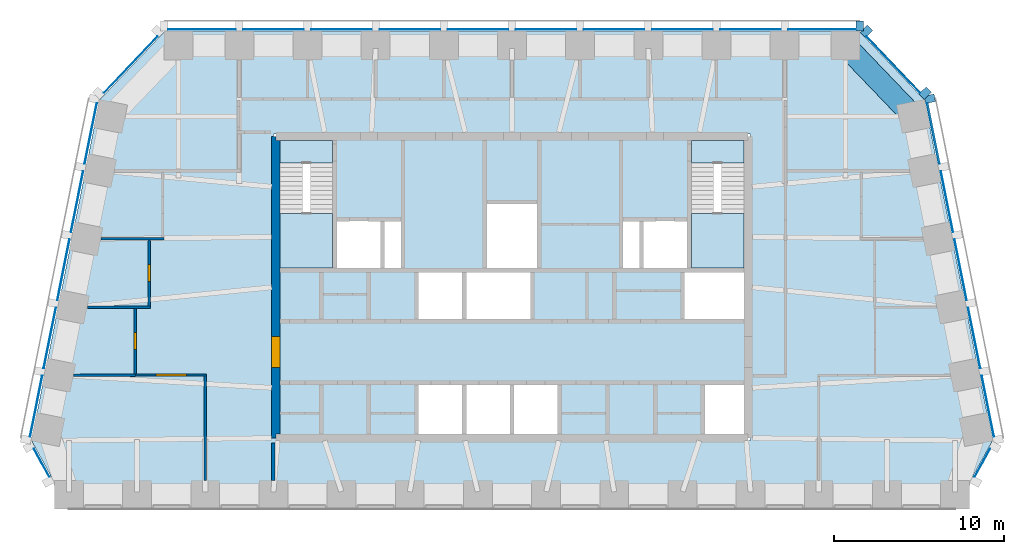
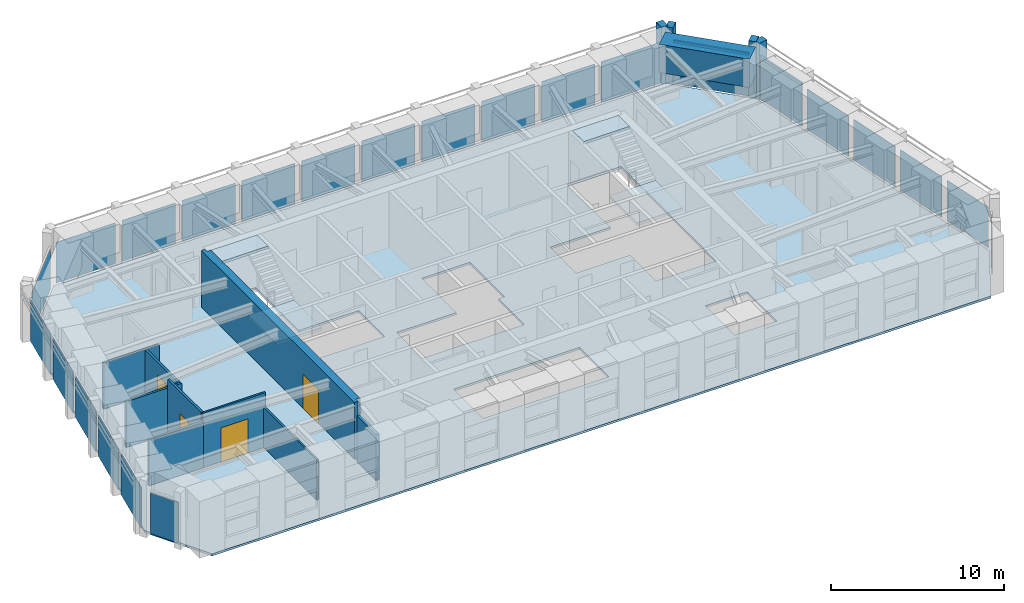
# One storey, part 3 of 9: 24 plates, 9 walls, 6 members, 5 slabs, 4 doors, 1 beam, 4 openings, 9 elements without a shape of their own.
"""IFC4 building model written with IfcOpenShell, lengths in metres."""

from ifc_helpers import new_model, si_unit, direction, frame, frame_2d, origin, origin_2d, place, context, subcontext, project, spatial, polyline, rectangle, outline, extrude, material, layer, layer_set, material_profile, profile_set, type_object, element, fill, aggregate, save


model = new_model("IFC4")

# Units and contexts
model_context = context("Model", 3, precision=1e-05, world=origin(), true_north=direction((0.0, 1.0)))
body_context = subcontext(model_context, "Body", "Model", "MODEL_VIEW")
ifc_project = project(units=[si_unit("LENGTHUNIT", "METRE"), si_unit("AREAUNIT", "SQUARE_METRE"), si_unit("VOLUMEUNIT", "CUBIC_METRE"), si_unit("PLANEANGLEUNIT", "RADIAN"), si_unit("MASSUNIT", "GRAM", prefix="KILO")], contexts=[model_context])

# Site, building, storey
site_placement = place(None, origin())
site = spatial("IfcSite", under=ifc_project, at=site_placement, CompositionType="ELEMENT")
building_placement = place(site_placement, origin())
building = spatial("IfcBuilding", under=site, at=building_placement, Name="Isbrekke Arena Tower", CompositionType="ELEMENT")
storey_placement = place(building_placement, frame((0.0, 0.0, 316.0)))
storey = spatial("IfcBuildingStorey", under=building, at=storey_placement, Name="L74", CompositionType="ELEMENT", Elevation=316.0)

# Curtain wall, member
ifc_material_1 = material(Name="Glazed aluminium curtain wall", Category="aluminium")
curtain_wall_type = type_object("IfcCurtainWallType", Name="CWT TOWER CURTAIN WALL TOP ZONE", PredefinedType="USERDEFINED", material=ifc_material_1)
curtain_wall_1_placement = place(storey_placement, origin())
curtain_wall_1 = element("IfcCurtainWall", 1, at=curtain_wall_1_placement, inside=storey, type_object=curtain_wall_type, Name="CWT curtain wall L74-E", ObjectType="TOWER CURTAIN WALL TOP ZONE", PredefinedType="USERDEFINED")
ifc_material_2 = material(Name="Copper-clad aluminium mullion", Category="aluminium")
ifc_material_profile_1 = material_profile(ifc_material_2, rectangle(XDim=0.449951171875, YDim=0.60009765625, at=origin_2d()), Name="PIER 450X600")
ifc_profile_set_1 = profile_set([ifc_material_profile_1], Name="Copper-clad aluminium mullion")
member_type_1 = type_object("IfcMemberType", Name="CWT-M PIER MULLION 450 x 600", PredefinedType="MULLION", material=ifc_profile_set_1)
member_1_placement = place(storey_placement, frame((24.518798828125, 26.063720703125, 0.0), z_axis=(0.0, 0.0, 1.0), x_axis=(-0.196116135138, 0.980580675691, 0.0)))
member_1 = element("IfcMember", 2, at=member_1_placement, type_object=member_type_1, Name="CWT-M mullion 6", PredefinedType="MULLION", context=body_context, shape_type="SweptSolid", body=[
    extrude(rectangle(XDim=0.449951171875, YDim=0.60009765625, at=origin_2d()), origin(), (0.0, 0.0, 1.0), 4.0),
])

# Curtain wall, members
curtain_wall_2_placement = place(storey_placement, origin())
curtain_wall_2 = element("IfcCurtainWall", 3, at=curtain_wall_2_placement, inside=storey, type_object=curtain_wall_type, Name="CWT curtain wall L74-EN", ObjectType="TOWER CURTAIN WALL TOP ZONE", PredefinedType="USERDEFINED")
member_2_placement = place(storey_placement, frame((24.244384765625, 26.388671875, 0.0), z_axis=(0.0, 0.0, 1.0), x_axis=(-0.68874946192, 0.72499943359, 0.0)))
member_2 = element("IfcMember", 4, at=member_2_placement, type_object=member_type_1, Name="CWT-M mullion 1", PredefinedType="MULLION", context=body_context, shape_type="SweptSolid", body=[
    extrude(rectangle(XDim=0.449951171875, YDim=0.60009765625, at=origin_2d()), origin(), (0.0, 0.0, 1.0), 4.0),
])
member_3_placement = place(storey_placement, frame((20.795166015625, 30.019775390625, 0.0), z_axis=(0.0, 0.0, 1.0), x_axis=(-0.68874946192, 0.72499943359, 0.0)))
member_3 = element("IfcMember", 5, at=member_3_placement, type_object=member_type_1, Name="CWT-M mullion 2", PredefinedType="MULLION", context=body_context, shape_type="SweptSolid", body=[
    extrude(rectangle(XDim=0.449951171875, YDim=0.60009765625, at=origin_2d()), origin(), (0.0, 0.0, 1.0), 4.0),
])

# Curtain wall, member
curtain_wall_3_placement = place(storey_placement, origin())
curtain_wall_3 = element("IfcCurtainWall", 6, at=curtain_wall_3_placement, inside=storey, type_object=curtain_wall_type, Name="CWT curtain wall L74-N", ObjectType="TOWER CURTAIN WALL TOP ZONE", PredefinedType="USERDEFINED")
member_4_placement = place(storey_placement, frame((20.39990234375, 30.324951171875, 0.0), z_axis=(0.0, 0.0, 1.0), x_axis=(-1.0, 0.0, 0.0)))
member_4 = element("IfcMember", 7, at=member_4_placement, type_object=member_type_1, Name="CWT-M mullion 1", PredefinedType="MULLION", context=body_context, shape_type="SweptSolid", body=[
    extrude(rectangle(XDim=0.449951171875, YDim=0.60009765625, at=origin_2d()), origin(), (0.0, 0.0, 1.0), 4.0),
])

# Member
ifc_material_3 = material(Name="Aluminium transom", Category="aluminium")
ifc_material_profile_2 = material_profile(ifc_material_3, rectangle(XDim=0.1201171875, YDim=0.199951171875, at=origin_2d()), Name="TRANSOM 120X200")
ifc_profile_set_2 = profile_set([ifc_material_profile_2], Name="Aluminium transom")
member_type_2 = type_object("IfcMemberType", Name="CWT-T TRANSOM 120 x 200", PredefinedType="USERDEFINED", material=ifc_profile_set_2)
member_5_placement = place(storey_placement, frame((25.078369140625, 22.2451171875, 3.0), z_axis=(-0.196090262229, 0.980585849918, 0.0), x_axis=(-0.980585849918, -0.196090262229, 0.0)))
member_5 = element("IfcMember", 8, at=member_5_placement, type_object=member_type_2, Name="CWT-T transom 5", ObjectType="TRANSOM", PredefinedType="USERDEFINED", context=body_context, shape_type="SweptSolid", body=[
    extrude(rectangle(XDim=0.1201171875, YDim=0.199951171875, at=origin_2d()), origin(), (0.0, 0.0, 1.0), 3.62939453125),
])

member_6_placement = place(storey_placement, frame((23.944580078125, 26.4140625, 3.0), z_axis=(-0.688771983213, 0.724978037696, 0.0), x_axis=(-0.724978037696, -0.688771983213, 0.0)))
member_6 = element("IfcMember", 9, at=member_6_placement, type_object=member_type_2, Name="CWT-T transom 1", ObjectType="TRANSOM", PredefinedType="USERDEFINED", context=body_context, shape_type="SweptSolid", body=[
    extrude(rectangle(XDim=0.1201171875, YDim=0.199951171875, at=origin_2d()), origin(), (0.0, 0.0, 1.0), 4.558349609375),
])

# Beam
ifc_material_4 = material(Name="Concrete B55 (C55/67)", Category="concrete")
ifc_material_profile_3 = material_profile(ifc_material_4, rectangle(XDim=1.300048828125, YDim=2.0, at=origin_2d()), Name="RC 1300x2000")
ifc_profile_set_3 = profile_set([ifc_material_profile_3], Name="Concrete B55 (C55/67)")
beam_type = type_object("IfcBeamType", Name="SB4 RC 1300 x 2000", PredefinedType="SPANDREL", material=ifc_profile_set_3)
beam_placement = place(storey_placement, frame((23.448974609375, 25.137451171875, 3.0), z_axis=(-0.692339547635, 0.721571861134, 0.0), x_axis=(-0.721571861134, -0.692339547635, 0.0)))
element("IfcBeam", 10, at=beam_placement, inside=storey, type_object=beam_type, Name="SB4 spandrel E06-N01 L74", PredefinedType="SPANDREL", context=body_context, shape_type="SweptSolid", body=[
    extrude(rectangle(XDim=1.300048828125, YDim=2.0, at=origin_2d()), origin(), (0.0, 0.0, 1.0), 5.4453125),
])

# Curtain wall, plate
curtain_wall_4_placement = place(storey_placement, origin())
curtain_wall_4 = element("IfcCurtainWall", 11, at=curtain_wall_4_placement, inside=storey, type_object=curtain_wall_type, Name="CWT curtain wall L74-SE", ObjectType="TOWER CURTAIN WALL TOP ZONE", PredefinedType="USERDEFINED")
ifc_material_5 = material(Name="Triple-glazed clear glass unit", Category="glass")
ifc_layer_1 = layer(ifc_material_5, 0.031982421875)
ifc_layer_set_1 = layer_set([ifc_layer_1], Name="CWT-P VISION PANEL")
plate_type = type_object("IfcPlateType", Name="CWT-P VISION PANEL", PredefinedType="CURTAIN_PANEL", material=ifc_layer_set_1)
plate_1_placement = place(storey_placement, frame((27.604248046875, 4.70947265625, 0.02001953125), z_axis=(0.0, 0.0, 1.0), x_axis=(0.481918749773, 0.876215908676, 0.0)))
plate_1 = element("IfcPlate", 12, at=plate_1_placement, type_object=plate_type, Name="CWT-P panel 1", PredefinedType="CURTAIN_PANEL", context=body_context, shape_type="SweptSolid", body=[
    extrude(rectangle(XDim=1.876220703125, YDim=0.031982421875, at=origin_2d()), origin(), (0.0, 0.0, 1.0), 2.8798828125),
])
aggregate(curtain_wall_4, [plate_1])

# Plate
plate_2_placement = place(storey_placement, frame((27.922607421875, 8.0244140625, 0.02001953125), z_axis=(0.0, 0.0, 1.0), x_axis=(-0.196116135138, 0.980580675691, 0.0)))
plate_2 = element("IfcPlate", 13, at=plate_2_placement, type_object=plate_type, Name="CWT-P panel 1", PredefinedType="CURTAIN_PANEL", context=body_context, shape_type="SweptSolid", body=[
    extrude(rectangle(XDim=3.629150390625, YDim=0.031982421875, at=origin_2d()), origin(), (0.0, 0.0, 1.0), 2.8798828125),
])

plate_3_placement = place(storey_placement, frame((27.12255859375, 12.0244140625, 0.02001953125), z_axis=(0.0, 0.0, 1.0), x_axis=(-0.196116135138, 0.980580675691, 0.0)))
plate_3 = element("IfcPlate", 14, at=plate_3_placement, type_object=plate_type, Name="CWT-P panel 2", PredefinedType="CURTAIN_PANEL", context=body_context, shape_type="SweptSolid", body=[
    extrude(rectangle(XDim=3.629150390625, YDim=0.031982421875, at=origin_2d()), origin(), (0.0, 0.0, 1.0), 2.8798828125),
])

plate_4_placement = place(storey_placement, frame((26.322509765625, 16.0244140625, 0.02001953125), z_axis=(0.0, 0.0, 1.0), x_axis=(-0.196116135138, 0.980580675691, 0.0)))
plate_4 = element("IfcPlate", 15, at=plate_4_placement, type_object=plate_type, Name="CWT-P panel 3", PredefinedType="CURTAIN_PANEL", context=body_context, shape_type="SweptSolid", body=[
    extrude(rectangle(XDim=3.629150390625, YDim=0.031982421875, at=origin_2d()), origin(), (0.0, 0.0, 1.0), 2.8798828125),
])

plate_5_placement = place(storey_placement, frame((25.5224609375, 20.0244140625, 0.02001953125), z_axis=(0.0, 0.0, 1.0), x_axis=(-0.196116135138, 0.980580675691, 0.0)))
plate_5 = element("IfcPlate", 16, at=plate_5_placement, type_object=plate_type, Name="CWT-P panel 4", PredefinedType="CURTAIN_PANEL", context=body_context, shape_type="SweptSolid", body=[
    extrude(rectangle(XDim=3.629150390625, YDim=0.031982421875, at=origin_2d()), origin(), (0.0, 0.0, 1.0), 2.8798828125),
])

plate_6_placement = place(storey_placement, frame((24.72265625, 24.0244140625, 0.02001953125), z_axis=(0.0, 0.0, 1.0), x_axis=(-0.196116135138, 0.980580675691, 0.0)))
plate_6 = element("IfcPlate", 17, at=plate_6_placement, type_object=plate_type, Name="CWT-P panel 5", PredefinedType="CURTAIN_PANEL", context=body_context, shape_type="SweptSolid", body=[
    extrude(rectangle(XDim=3.629150390625, YDim=0.031982421875, at=origin_2d()), origin(), (0.0, 0.0, 1.0), 2.8798828125),
])

aggregate(curtain_wall_1, [member_1, plate_2, plate_3, plate_4, plate_5, member_5, plate_6])

plate_7_placement = place(storey_placement, frame((22.374755859375, 28.06640625, 0.02001953125), z_axis=(0.0, 0.0, 1.0), x_axis=(-0.68874946192, 0.72499943359, 0.0)))
plate_7 = element("IfcPlate", 18, at=plate_7_placement, type_object=plate_type, Name="CWT-P panel 1", PredefinedType="CURTAIN_PANEL", context=body_context, shape_type="SweptSolid", body=[
    extrude(rectangle(XDim=4.558349609375, YDim=0.031982421875, at=origin_2d()), origin(), (0.0, 0.0, 1.0), 2.8798828125),
])

aggregate(curtain_wall_2, [member_2, member_3, member_6, plate_7])

plate_8_placement = place(storey_placement, frame((18.199951171875, 30.125, 0.02001953125), z_axis=(0.0, 0.0, 1.0), x_axis=(-1.0, 0.0, 0.0)))
plate_8 = element("IfcPlate", 19, at=plate_8_placement, type_object=plate_type, Name="CWT-P panel 1", PredefinedType="CURTAIN_PANEL", context=body_context, shape_type="SweptSolid", body=[
    extrude(rectangle(XDim=3.949951171875, YDim=0.031982421875, at=origin_2d()), origin(), (0.0, 0.0, 1.0), 2.8798828125),
])

plate_9_placement = place(storey_placement, frame((14.0, 30.125, 0.02001953125), z_axis=(0.0, 0.0, 1.0), x_axis=(-1.0, 0.0, 0.0)))
plate_9 = element("IfcPlate", 20, at=plate_9_placement, type_object=plate_type, Name="CWT-P panel 2", PredefinedType="CURTAIN_PANEL", context=body_context, shape_type="SweptSolid", body=[
    extrude(rectangle(XDim=3.550048828125, YDim=0.031982421875, at=origin_2d()), origin(), (0.0, 0.0, 1.0), 2.8798828125),
])

plate_10_placement = place(storey_placement, frame((10.0, 30.125, 0.02001953125), z_axis=(0.0, 0.0, 1.0), x_axis=(-1.0, 0.0, 0.0)))
plate_10 = element("IfcPlate", 21, at=plate_10_placement, type_object=plate_type, Name="CWT-P panel 3", PredefinedType="CURTAIN_PANEL", context=body_context, shape_type="SweptSolid", body=[
    extrude(rectangle(XDim=3.550048828125, YDim=0.031982421875, at=origin_2d()), origin(), (0.0, 0.0, 1.0), 2.8798828125),
])

plate_11_placement = place(storey_placement, frame((6.0, 30.125, 0.02001953125), z_axis=(0.0, 0.0, 1.0), x_axis=(-1.0, 0.0, 0.0)))
plate_11 = element("IfcPlate", 22, at=plate_11_placement, type_object=plate_type, Name="CWT-P panel 4", PredefinedType="CURTAIN_PANEL", context=body_context, shape_type="SweptSolid", body=[
    extrude(rectangle(XDim=3.550048828125, YDim=0.031982421875, at=origin_2d()), origin(), (0.0, 0.0, 1.0), 2.8798828125),
])

plate_12_placement = place(storey_placement, frame((2.0, 30.125, 0.02001953125), z_axis=(0.0, 0.0, 1.0), x_axis=(-1.0, 0.0, 0.0)))
plate_12 = element("IfcPlate", 23, at=plate_12_placement, type_object=plate_type, Name="CWT-P panel 5", PredefinedType="CURTAIN_PANEL", context=body_context, shape_type="SweptSolid", body=[
    extrude(rectangle(XDim=3.550048828125, YDim=0.031982421875, at=origin_2d()), origin(), (0.0, 0.0, 1.0), 2.8798828125),
])

plate_13_placement = place(storey_placement, frame((-2.0, 30.125, 0.02001953125), z_axis=(0.0, 0.0, 1.0), x_axis=(-1.0, 0.0, 0.0)))
plate_13 = element("IfcPlate", 24, at=plate_13_placement, type_object=plate_type, Name="CWT-P panel 6", PredefinedType="CURTAIN_PANEL", context=body_context, shape_type="SweptSolid", body=[
    extrude(rectangle(XDim=3.550048828125, YDim=0.031982421875, at=origin_2d()), origin(), (0.0, 0.0, 1.0), 2.8798828125),
])

plate_14_placement = place(storey_placement, frame((-6.0, 30.125, 0.02001953125), z_axis=(0.0, 0.0, 1.0), x_axis=(-1.0, 0.0, 0.0)))
plate_14 = element("IfcPlate", 25, at=plate_14_placement, type_object=plate_type, Name="CWT-P panel 7", PredefinedType="CURTAIN_PANEL", context=body_context, shape_type="SweptSolid", body=[
    extrude(rectangle(XDim=3.550048828125, YDim=0.031982421875, at=origin_2d()), origin(), (0.0, 0.0, 1.0), 2.8798828125),
])

plate_15_placement = place(storey_placement, frame((-10.0, 30.125, 0.02001953125), z_axis=(0.0, 0.0, 1.0), x_axis=(-1.0, 0.0, 0.0)))
plate_15 = element("IfcPlate", 26, at=plate_15_placement, type_object=plate_type, Name="CWT-P panel 8", PredefinedType="CURTAIN_PANEL", context=body_context, shape_type="SweptSolid", body=[
    extrude(rectangle(XDim=3.550048828125, YDim=0.031982421875, at=origin_2d()), origin(), (0.0, 0.0, 1.0), 2.8798828125),
])

plate_16_placement = place(storey_placement, frame((-14.0, 30.125, 0.02001953125), z_axis=(0.0, 0.0, 1.0), x_axis=(-1.0, 0.0, 0.0)))
plate_16 = element("IfcPlate", 27, at=plate_16_placement, type_object=plate_type, Name="CWT-P panel 9", PredefinedType="CURTAIN_PANEL", context=body_context, shape_type="SweptSolid", body=[
    extrude(rectangle(XDim=3.550048828125, YDim=0.031982421875, at=origin_2d()), origin(), (0.0, 0.0, 1.0), 2.8798828125),
])

plate_17_placement = place(storey_placement, frame((-18.199951171875, 30.125, 0.02001953125), z_axis=(0.0, 0.0, 1.0), x_axis=(-1.0, 0.0, 0.0)))
plate_17 = element("IfcPlate", 28, at=plate_17_placement, type_object=plate_type, Name="CWT-P panel 10", PredefinedType="CURTAIN_PANEL", context=body_context, shape_type="SweptSolid", body=[
    extrude(rectangle(XDim=3.949951171875, YDim=0.031982421875, at=origin_2d()), origin(), (0.0, 0.0, 1.0), 2.8798828125),
])

aggregate(curtain_wall_3, [member_4, plate_8, plate_9, plate_10, plate_11, plate_12, plate_13, plate_14, plate_15, plate_16, plate_17])

# Curtain wall, plate
curtain_wall_5_placement = place(storey_placement, origin())
curtain_wall_5 = element("IfcCurtainWall", 29, at=curtain_wall_5_placement, inside=storey, type_object=curtain_wall_type, Name="CWT curtain wall L74-NW", ObjectType="TOWER CURTAIN WALL TOP ZONE", PredefinedType="USERDEFINED")
plate_18_placement = place(storey_placement, frame((-22.37451171875, 28.066650390625, 0.02001953125), z_axis=(0.0, 0.0, 1.0), x_axis=(-0.68874946192, -0.72499943359, 0.0)))
plate_18 = element("IfcPlate", 30, at=plate_18_placement, type_object=plate_type, Name="CWT-P panel 1", PredefinedType="CURTAIN_PANEL", context=body_context, shape_type="SweptSolid", body=[
    extrude(rectangle(XDim=4.557373046875, YDim=0.031982421875, at=origin_2d()), origin(), (0.0, 0.0, 1.0), 2.8798828125),
])
aggregate(curtain_wall_5, [plate_18])

# Curtain wall, plates
curtain_wall_6_placement = place(storey_placement, origin())
curtain_wall_6 = element("IfcCurtainWall", 31, at=curtain_wall_6_placement, inside=storey, type_object=curtain_wall_type, Name="CWT curtain wall L74-W", ObjectType="TOWER CURTAIN WALL TOP ZONE", PredefinedType="USERDEFINED")
plate_19_placement = place(storey_placement, frame((-24.72265625, 24.0244140625, 0.02001953125), z_axis=(0.0, 0.0, 1.0), x_axis=(-0.196116135138, -0.980580675691, 0.0)))
plate_19 = element("IfcPlate", 32, at=plate_19_placement, type_object=plate_type, Name="CWT-P panel 1", PredefinedType="CURTAIN_PANEL", context=body_context, shape_type="SweptSolid", body=[
    extrude(rectangle(XDim=3.629150390625, YDim=0.031982421875, at=origin_2d()), origin(), (0.0, 0.0, 1.0), 2.8798828125),
])
plate_20_placement = place(storey_placement, frame((-25.5224609375, 20.0244140625, 0.02001953125), z_axis=(0.0, 0.0, 1.0), x_axis=(-0.196116135138, -0.980580675691, 0.0)))
plate_20 = element("IfcPlate", 33, at=plate_20_placement, type_object=plate_type, Name="CWT-P panel 2", PredefinedType="CURTAIN_PANEL", context=body_context, shape_type="SweptSolid", body=[
    extrude(rectangle(XDim=3.629150390625, YDim=0.031982421875, at=origin_2d()), origin(), (0.0, 0.0, 1.0), 2.8798828125),
])
plate_21_placement = place(storey_placement, frame((-26.322509765625, 16.0244140625, 0.02001953125), z_axis=(0.0, 0.0, 1.0), x_axis=(-0.196116135138, -0.980580675691, 0.0)))
plate_21 = element("IfcPlate", 34, at=plate_21_placement, type_object=plate_type, Name="CWT-P panel 3", PredefinedType="CURTAIN_PANEL", context=body_context, shape_type="SweptSolid", body=[
    extrude(rectangle(XDim=3.629150390625, YDim=0.031982421875, at=origin_2d()), origin(), (0.0, 0.0, 1.0), 2.8798828125),
])
plate_22_placement = place(storey_placement, frame((-27.12255859375, 12.0244140625, 0.02001953125), z_axis=(0.0, 0.0, 1.0), x_axis=(-0.196116135138, -0.980580675691, 0.0)))
plate_22 = element("IfcPlate", 35, at=plate_22_placement, type_object=plate_type, Name="CWT-P panel 4", PredefinedType="CURTAIN_PANEL", context=body_context, shape_type="SweptSolid", body=[
    extrude(rectangle(XDim=3.629150390625, YDim=0.031982421875, at=origin_2d()), origin(), (0.0, 0.0, 1.0), 2.8798828125),
])
plate_23_placement = place(storey_placement, frame((-27.922607421875, 8.0244140625, 0.02001953125), z_axis=(0.0, 0.0, 1.0), x_axis=(-0.196116135138, -0.980580675691, 0.0)))
plate_23 = element("IfcPlate", 36, at=plate_23_placement, type_object=plate_type, Name="CWT-P panel 5", PredefinedType="CURTAIN_PANEL", context=body_context, shape_type="SweptSolid", body=[
    extrude(rectangle(XDim=3.629150390625, YDim=0.031982421875, at=origin_2d()), origin(), (0.0, 0.0, 1.0), 2.8798828125),
])
aggregate(curtain_wall_6, [plate_19, plate_20, plate_21, plate_22, plate_23])

# Curtain wall, plate
curtain_wall_7_placement = place(storey_placement, origin())
curtain_wall_7 = element("IfcCurtainWall", 37, at=curtain_wall_7_placement, inside=storey, type_object=curtain_wall_type, Name="CWT curtain wall L74-WS", ObjectType="TOWER CURTAIN WALL TOP ZONE", PredefinedType="USERDEFINED")
plate_24_placement = place(storey_placement, frame((-27.60400390625, 4.708984375, 0.02001953125), z_axis=(0.0, 0.0, 1.0), x_axis=(0.481918749773, -0.876215908676, 0.0)))
plate_24 = element("IfcPlate", 38, at=plate_24_placement, type_object=plate_type, Name="CWT-P panel 1", PredefinedType="CURTAIN_PANEL", context=body_context, shape_type="SweptSolid", body=[
    extrude(rectangle(XDim=1.878173828125, YDim=0.031982421875, at=origin_2d()), origin(), (0.0, 0.0, 1.0), 2.8798828125),
])
aggregate(curtain_wall_7, [plate_24])

# Slab
ifc_material_6 = material(Name="Concrete B35 (C35/45)", Category="concrete")
ifc_layer_2 = layer(ifc_material_6, 0.14990234375)
ifc_layer_set_2 = layer_set([ifc_layer_2], Name="FS1 COMPOSITE FLOOR 150")
slab_type_1 = type_object("IfcSlabType", Name="FS1 COMPOSITE FLOOR 150", PredefinedType="FLOOR", material=ifc_layer_set_2)
slab_1_placement = place(storey_placement, frame((0.0, 0.0, -0.14990234375)))
element("IfcSlab", 39, at=slab_1_placement, inside=storey, type_object=slab_type_1, Name="FS1 floor slab L74", PredefinedType="FLOOR", context=body_context, shape_type="SweptSolid", body=[
    extrude(outline(polyline([(-26.0, 2.0), (26.0, 2.0), (28.199951171875, 6.0), (24.199951171875, 26.0), (20.39990234375, 30.0), (-20.39990234375, 30.0), (-24.199951171875, 26.0), (-28.199951171875, 6.0), (-26.0, 2.0)]), holes=[polyline([(2.800048828125, 9.39990234375), (2.800048828125, 6.0), (-5.60009765625, 6.0), (-5.60009765625, 9.39990234375), (2.800048828125, 9.39990234375)]), polyline([(11.199951171875, 6.0), (11.199951171875, 9.39990234375), (14.0, 9.39990234375), (14.0, 6.0), (11.199951171875, 6.0)]), polyline([(-5.60009765625, 13.0), (-5.60009765625, 16.0), (-1.60009765625, 16.0), (-1.60009765625, 20.0), (1.60009765625, 20.0), (1.60009765625, 16.0), (1.199951171875, 16.0), (1.199951171875, 13.0), (-5.60009765625, 13.0)]), polyline([(14.0, 13.0), (10.0, 13.0), (10.0, 16.0), (6.39990234375, 16.0), (6.39990234375, 19.0), (10.39990234375, 19.0), (10.39990234375, 24.0), (14.0, 24.0), (14.0, 13.0)]), polyline([(-6.39990234375, 19.0), (-6.39990234375, 16.0), (-14.0, 16.0), (-14.0, 24.0), (-10.39990234375, 24.0), (-10.39990234375, 19.0), (-6.39990234375, 19.0)])]), origin(), (0.0, 0.0, 1.0), 0.14990234375),
])

# Stair, slabs
ifc_material_7 = material(Name="Concrete B45 (C45/55) precast", Category="concrete")
stair_type = type_object("IfcStairType", Name="ST40 STAIR 1300 WIDE, 24 RISERS 167", PredefinedType="HALF_TURN_STAIR", material=ifc_material_7)
stair_1_placement = place(storey_placement, origin())
stair_1 = element("IfcStair", 40, at=stair_1_placement, inside=storey, type_object=stair_type, Name="ST1 stair L74", PredefinedType="HALF_TURN_STAIR")
ifc_material_8 = material(Name="Concrete B35 (C35/45)", Category="concrete")
ifc_layer_3 = layer(ifc_material_8, 0.199951171875)
ifc_layer_set_3 = layer_set([ifc_layer_3], Name="SL1 STAIR LANDING 200")
slab_type_2 = type_object("IfcSlabType", Name="SL1 STAIR LANDING 200", PredefinedType="LANDING", material=ifc_layer_set_3)
slab_2_placement = place(storey_placement, frame((0.0, 0.0, 1.800048828125)))
slab_2 = element("IfcSlab", 41, at=slab_2_placement, type_object=slab_type_2, Name="ST1 landing 1", PredefinedType="LANDING", context=body_context, shape_type="SweptSolid", body=[
    extrude(outline(polyline([(-13.60009765625, 16.125), (-10.52490234375, 16.125), (-10.52490234375, 19.330078125), (-13.60009765625, 19.330078125), (-13.60009765625, 16.125)])), origin(), (0.0, 0.0, 1.0), 0.199951171875),
])
slab_3_placement = place(storey_placement, frame((0.0, 0.0, 3.800048828125)))
slab_3 = element("IfcSlab", 42, at=slab_3_placement, type_object=slab_type_2, Name="ST1 landing 2", PredefinedType="LANDING", context=body_context, shape_type="SweptSolid", body=[
    extrude(outline(polyline([(-13.60009765625, 22.300048828125), (-10.52490234375, 22.300048828125), (-10.52490234375, 23.60009765625), (-13.60009765625, 23.60009765625), (-13.60009765625, 22.300048828125)])), origin(), (0.0, 0.0, 1.0), 0.199951171875),
])
aggregate(stair_1, [slab_2, slab_3])

stair_2_placement = place(storey_placement, origin())
stair_2 = element("IfcStair", 43, at=stair_2_placement, inside=storey, type_object=stair_type, Name="ST2 stair L74", PredefinedType="HALF_TURN_STAIR")
slab_4_placement = place(storey_placement, frame((0.0, 0.0, 1.800048828125)))
slab_4 = element("IfcSlab", 44, at=slab_4_placement, type_object=slab_type_2, Name="ST2 landing 1", PredefinedType="LANDING", context=body_context, shape_type="SweptSolid", body=[
    extrude(outline(polyline([(10.52490234375, 16.125), (13.60009765625, 16.125), (13.60009765625, 19.330078125), (10.52490234375, 19.330078125), (10.52490234375, 16.125)])), origin(), (0.0, 0.0, 1.0), 0.199951171875),
])
slab_5_placement = place(storey_placement, frame((0.0, 0.0, 3.800048828125)))
slab_5 = element("IfcSlab", 45, at=slab_5_placement, type_object=slab_type_2, Name="ST2 landing 2", PredefinedType="LANDING", context=body_context, shape_type="SweptSolid", body=[
    extrude(outline(polyline([(10.52490234375, 22.300048828125), (13.60009765625, 22.300048828125), (13.60009765625, 23.60009765625), (10.52490234375, 23.60009765625), (10.52490234375, 22.300048828125)])), origin(), (0.0, 0.0, 1.0), 0.199951171875),
])
aggregate(stair_2, [slab_4, slab_5])

# Wall, opening, door
ifc_material_9 = material(Name="Concrete B55 (C55/67)", Category="concrete")
ifc_layer_4 = layer(ifc_material_9, 0.5)
ifc_layer_set_4 = layer_set([ifc_layer_4], Name="CW5 CORE WALL 500")
wall_type_1 = type_object("IfcWallType", Name="CW5 CORE WALL 500", PredefinedType="SHEAR", material=ifc_layer_set_4)
wall_1_placement = place(storey_placement, frame((-13.85009765625, 23.85009765625, 0.0), z_axis=(0.0, 0.0, 1.0), x_axis=(0.0, -1.0, 0.0)))
wall_1 = element("IfcWall", 46, at=wall_1_placement, inside=storey, type_object=wall_type_1, Name="Core wall W L74", PredefinedType="SHEAR", context=body_context, shape_type="SweptSolid", body=[
    extrude(outline(polyline([(0.0, -0.25), (17.7001953125, -0.25), (17.7001953125, 0.0), (17.4501953125, 0.0), (17.4501953125, 0.25), (0.25, 0.25), (0.25, 0.0), (0.0, 0.0), (0.0, -0.25)])), origin(), (0.0, 0.0, 1.0), 4.0),
])
opening_1_placement = place(wall_1_placement, frame((11.75, 0.0, 0.0)))
opening_1 = element("IfcOpeningElement", 47, at=opening_1_placement, cuts=wall_1, Name="Opening D1", PredefinedType="OPENING", context=body_context, shape_type="SweptSolid", body=[
    extrude(rectangle(XDim=1.800048828125, YDim=2.39990234375, at=frame_2d((0.89990234375, 1.199951171875))), frame((0.0, 0.264892578125, 0.0), z_axis=(0.0, -1.0, 0.0), x_axis=(1.0, 0.0, 0.0)), (0.0, 0.0, 1.0), 0.52978515625),
])
ifc_material_10 = material(Name="Steel-framed glazed fire door", Category="steel")
door_type_1 = type_object("IfcDoorType", Name="D1 CORE LOBBY DOOR 1800 x 2400", OperationType="DOUBLE_DOOR_SINGLE_SWING", PredefinedType="DOOR", material=ifc_material_10)
door_1_placement = place(opening_1_placement, origin())
door_1 = element("IfcDoor", 48, at=door_1_placement, inside=storey, type_object=door_type_1, Name="D1 lift lobby door west L74", OperationType="DOUBLE_DOOR_SINGLE_SWING", OverallHeight=2.39990234375, OverallWidth=1.800048828125, PredefinedType="DOOR", context=body_context, shape_type="SweptSolid", body=[
    extrude(rectangle(XDim=1.800048828125, YDim=2.39990234375, at=frame_2d((0.89990234375, 1.199951171875))), frame((0.0, 0.249755859375, 0.0), z_axis=(0.0, -1.0, 0.0), x_axis=(1.0, 0.0, 0.0)), (0.0, 0.0, 1.0), 0.49951171875),
])
fill(opening_1, door_1)

# Walls
ifc_material_11 = material(Name="Gypsum board partition on steel studs", Category="steel")
ifc_layer_5 = layer(ifc_material_11, 0.14990234375)
ifc_layer_set_5 = layer_set([ifc_layer_5], Name="IW1 PARTITION 150")
wall_type_2 = type_object("IfcWallType", Name="IW1 PARTITION 150", PredefinedType="PARTITIONING", material=ifc_layer_set_5)
wall_2_placement = place(storey_placement, frame((-25.723876953125, 9.840087890625, 0.0), z_axis=(0.0, 0.0, 1.0), x_axis=(1.0, 0.0, 0.0)))
element("IfcWall", 49, at=wall_2_placement, inside=storey, type_object=wall_type_2, Name="IW1 partition 150 L74", PredefinedType="PARTITIONING", context=body_context, shape_type="SweptSolid", body=[
    extrude(rectangle(XDim=3.623779296875, YDim=0.14990234375, at=frame_2d((1.81201171875, 0.0))), origin(), (0.0, 0.0, 1.0), 3.22998046875),
])
for number, where, z_axis, x_axis, name in (
    (50, (-24.923828125, 13.840087890625, 0.0), (0.0, 0.0, 1.0), (1.0, 0.0, 0.0), "IW1 partition 150 L74"),
    (51, (-24.123779296875, 17.840087890625, 0.0), (0.0, 0.0, 1.0), (1.0, 0.0, 0.0), "IW1 partition 150 L74"),
):
    element("IfcWall", number, at=place(storey_placement, frame(where, z_axis=z_axis, x_axis=x_axis)), inside=storey, type_object=wall_type_2, Name=name, PredefinedType="PARTITIONING", context=body_context, shape_type="SweptSolid", body=[
        extrude(rectangle(XDim=3.69873046875, YDim=0.14990234375, at=frame_2d((1.849365234375, 0.0))), origin(), (0.0, 0.0, 1.0), 3.22998046875),
    ])

# Wall, opening, door
wall_3_placement = place(storey_placement, frame((-22.10009765625, 9.9150390625, 0.0), z_axis=(0.0, 0.0, 1.0), x_axis=(0.0, 1.0, 0.0)))
wall_3 = element("IfcWall", 52, at=wall_3_placement, inside=storey, type_object=wall_type_2, Name="IW1 partition 150 L74", PredefinedType="PARTITIONING", context=body_context, shape_type="SweptSolid", body=[
    extrude(rectangle(XDim=3.849853515625, YDim=0.14990234375, at=frame_2d((1.9248046875, 0.0))), origin(), (0.0, 0.0, 1.0), 3.85009765625),
])
opening_2_placement = place(wall_3_placement, frame((1.425048828125, 0.0, 0.0)))
opening_2 = element("IfcOpeningElement", 53, at=opening_2_placement, cuts=wall_3, Name="Opening D10", PredefinedType="OPENING", context=body_context, shape_type="SweptSolid", body=[
    extrude(rectangle(XDim=1.0, YDim=2.300048828125, at=frame_2d((0.5, 1.14990234375))), frame((0.0, 0.08984375, 0.0), z_axis=(0.0, -1.0, 0.0), x_axis=(1.0, 0.0, 0.0)), (0.0, 0.0, 1.0), 0.1796875),
])
ifc_material_12 = material(Name="Timber door", Category="wood")
door_type_2 = type_object("IfcDoorType", Name="D10 OFFICE DOOR 1000 x 2300", OperationType="SINGLE_SWING_LEFT", PredefinedType="DOOR", material=ifc_material_12)
door_2_placement = place(opening_2_placement, origin())
door_2 = element("IfcDoor", 54, at=door_2_placement, inside=storey, type_object=door_type_2, Name="D10 executive office door L74", OperationType="SINGLE_SWING_LEFT", OverallHeight=2.300048828125, OverallWidth=1.0, PredefinedType="DOOR", context=body_context, shape_type="SweptSolid", body=[
    extrude(rectangle(XDim=1.0, YDim=2.300048828125, at=frame_2d((0.5, 1.14990234375))), frame((0.0, 0.07470703125, 0.0), z_axis=(0.0, -1.0, 0.0), x_axis=(1.0, 0.0, 0.0)), (0.0, 0.0, 1.0), 0.1494140625),
])
fill(opening_2, door_2)

wall_4_placement = place(storey_placement, frame((-21.300048828125, 13.9150390625, 0.0), z_axis=(0.0, 0.0, 1.0), x_axis=(0.0, 1.0, 0.0)))
wall_4 = element("IfcWall", 55, at=wall_4_placement, inside=storey, type_object=wall_type_2, Name="IW1 partition 150 L74", PredefinedType="PARTITIONING", context=body_context, shape_type="SweptSolid", body=[
    extrude(rectangle(XDim=3.849853515625, YDim=0.14990234375, at=frame_2d((1.9248046875, 0.0))), origin(), (0.0, 0.0, 1.0), 3.22998046875),
])
opening_3_placement = place(wall_4_placement, frame((1.425048828125, 0.0, 0.0)))
opening_3 = element("IfcOpeningElement", 56, at=opening_3_placement, cuts=wall_4, Name="Opening D10", PredefinedType="OPENING", context=body_context, shape_type="SweptSolid", body=[
    extrude(rectangle(XDim=1.0, YDim=2.300048828125, at=frame_2d((0.5, 1.14990234375))), frame((0.0, 0.08984375, 0.0), z_axis=(0.0, -1.0, 0.0), x_axis=(1.0, 0.0, 0.0)), (0.0, 0.0, 1.0), 0.1796875),
])
door_3_placement = place(opening_3_placement, origin())
door_3 = element("IfcDoor", 57, at=door_3_placement, inside=storey, type_object=door_type_2, Name="D10 executive office door L74", OperationType="SINGLE_SWING_LEFT", OverallHeight=2.300048828125, OverallWidth=1.0, PredefinedType="DOOR", context=body_context, shape_type="SweptSolid", body=[
    extrude(rectangle(XDim=1.0, YDim=2.300048828125, at=frame_2d((0.5, 1.14990234375))), frame((0.0, 0.07470703125, 0.0), z_axis=(0.0, -1.0, 0.0), x_axis=(1.0, 0.0, 0.0)), (0.0, 0.0, 1.0), 0.1494140625),
])
fill(opening_3, door_3)

ifc_material_13 = material(Name="Frameless glazed partition, laminated acoustic glass", Category="glass")
ifc_layer_6 = layer(ifc_material_13, 0.1201171875)
ifc_layer_set_6 = layer_set([ifc_layer_6], Name="IW2 GLAZED PARTITION 120")
wall_type_3 = type_object("IfcWallType", Name="IW2 GLAZED PARTITION 120", PredefinedType="PARTITIONING", material=ifc_layer_set_6)
wall_5_placement = place(storey_placement, frame((-22.10009765625, 9.840087890625, 0.0), z_axis=(0.0, 0.0, 1.0), x_axis=(1.0, 0.0, 0.0)))
wall_5 = element("IfcWall", 58, at=wall_5_placement, inside=storey, type_object=wall_type_3, Name="IW2 glazed partition 120 L74", PredefinedType="PARTITIONING", context=body_context, shape_type="SweptSolid", body=[
    extrude(rectangle(XDim=4.16015625, YDim=0.1201171875, at=frame_2d((2.080078125, 0.0))), origin(), (0.0, 0.0, 1.0), 3.85009765625),
])
opening_4_placement = place(wall_5_placement, frame((1.199951171875, 0.0, 0.0)))
opening_4 = element("IfcOpeningElement", 59, at=opening_4_placement, cuts=wall_5, Name="Opening D13", PredefinedType="OPENING", context=body_context, shape_type="SweptSolid", body=[
    extrude(rectangle(XDim=1.800048828125, YDim=2.39990234375, at=frame_2d((0.89990234375, 1.199951171875))), frame((0.0, 0.074951171875, 0.0), z_axis=(0.0, -1.0, 0.0), x_axis=(1.0, 0.0, 0.0)), (0.0, 0.0, 1.0), 0.14990234375),
])
ifc_material_14 = material(Name="Timber door pair", Category="wood")
door_type_3 = type_object("IfcDoorType", Name="D13 DOUBLE ROOM DOOR 1800 x 2400", OperationType="DOUBLE_DOOR_SINGLE_SWING", PredefinedType="DOOR", material=ifc_material_14)
door_4_placement = place(opening_4_placement, origin())
door_4 = element("IfcDoor", 60, at=door_4_placement, inside=storey, type_object=door_type_3, Name="D13 boardroom door L74", OperationType="DOUBLE_DOOR_SINGLE_SWING", OverallHeight=2.39990234375, OverallWidth=1.800048828125, PredefinedType="DOOR", context=body_context, shape_type="SweptSolid", body=[
    extrude(rectangle(XDim=1.800048828125, YDim=2.39990234375, at=frame_2d((0.89990234375, 1.199951171875))), frame((0.0, 0.059814453125, 0.0), z_axis=(0.0, -1.0, 0.0), x_axis=(1.0, 0.0, 0.0)), (0.0, 0.0, 1.0), 0.11962890625),
])
fill(opening_4, door_4)

# Walls
wall_6_placement = place(storey_placement, frame((-18.0, 3.675048828125, 0.0), z_axis=(0.0, 0.0, 1.0), x_axis=(0.0, 1.0, 0.0)))
element("IfcWall", 61, at=wall_6_placement, inside=storey, type_object=wall_type_3, Name="IW2 glazed partition 120 L74", PredefinedType="PARTITIONING", context=body_context, shape_type="SweptSolid", body=[
    extrude(rectangle(XDim=6.10498046875, YDim=0.1201171875, at=frame_2d((3.052490234375, 0.0))), origin(), (0.0, 0.0, 1.0), 2.842041015625),
])
ifc_material_15 = material(Name="Gypsum board fire-cell wall on steel studs, two layers each side", Category="steel")
ifc_layer_7 = layer(ifc_material_15, 0.199951171875)
ifc_layer_set_7 = layer_set([ifc_layer_7], Name="IW3 FIRE-CELL WALL 200")
wall_type_4 = type_object("IfcWallType", Name="IW3 FIRE-CELL WALL 200", PredefinedType="PARTITIONING", material=ifc_layer_set_7)
wall_7_placement = place(storey_placement, frame((-14.0, 3.675048828125, 0.0), z_axis=(0.0, 0.0, 1.0), x_axis=(0.0, 1.0, 0.0)))
element("IfcWall", 62, at=wall_7_placement, inside=storey, type_object=wall_type_4, Name="IW3 fire-cell wall 200 L74", PredefinedType="PARTITIONING", context=body_context, shape_type="SweptSolid", body=[
    extrude(rectangle(XDim=2.195068359375, YDim=0.199951171875, at=frame_2d((1.09765625, 0.0))), origin(), (0.0, 0.0, 1.0), 3.22998046875),
])

save(model, "model.ifc")
